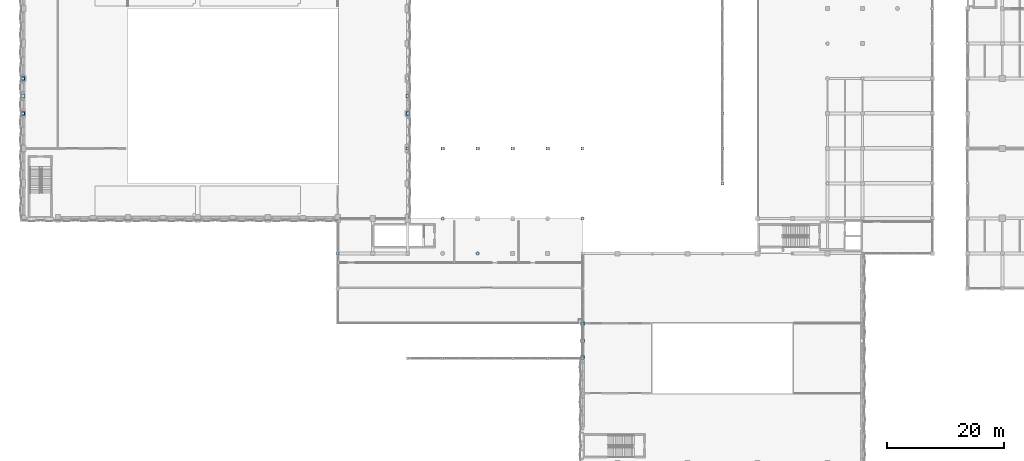
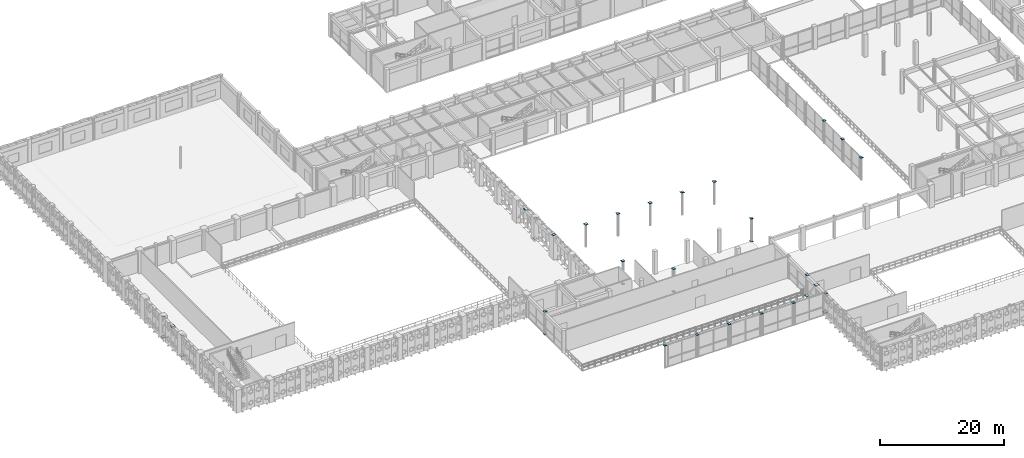
# One storey, part 83 of 116: 35 plates.
"""IFC4 building model written with IfcOpenShell, lengths in metres."""

from ifc_helpers import new_model, si_unit, direction, frame, origin, origin_2d, place, context, subcontext, project, spatial, rectangle, extrude, material, layer, layer_set, type_object, element, save


model = new_model("IFC4")

# Units and contexts
model_context = context("Model", 3, precision=1e-05, world=origin(), true_north=direction((0.0, 1.0)))
body_context = subcontext(model_context, "Body", "Model", "MODEL_VIEW")
ifc_project = project(units=[si_unit("LENGTHUNIT", "METRE"), si_unit("AREAUNIT", "SQUARE_METRE"), si_unit("VOLUMEUNIT", "CUBIC_METRE"), si_unit("PLANEANGLEUNIT", "RADIAN"), si_unit("MASSUNIT", "GRAM", prefix="KILO"), si_unit("THERMODYNAMICTEMPERATUREUNIT", "KELVIN"), si_unit("POWERUNIT", "WATT")], contexts=[model_context])

# Site, building, storey
site_placement = place(None, origin())
site = spatial("IfcSite", under=ifc_project, at=site_placement, CompositionType="ELEMENT")
building_placement = place(site_placement, origin())
building = spatial("IfcBuilding", under=site, at=building_placement, Name="Phaisarnlok Congress Hotel", CompositionType="ELEMENT")
storey_placement = place(building_placement, frame((0.0, 0.0, 10.5)))
storey = spatial("IfcBuildingStorey", under=building, at=storey_placement, Name="L02", CompositionType="ELEMENT", Elevation=10.5)

# Plates
ifc_material = material(Name="Steel S355", Category="steel")
ifc_layer_1 = layer(ifc_material, 0.0400390625, Name="Steel S355")
ifc_layer_set_1 = layer_set([ifc_layer_1], Name="Steel S355")
plate_type_1 = type_object("IfcPlateType", Name="PLT-CAP-480", PredefinedType="SHEET", material=ifc_layer_set_1)
for number, where, z_axis, x_axis, name in (
    (1, (54.0, 36.0, -0.02001953125), (0.0, 0.0, 1.0), (1.0, 0.0, 0.0), "Steel column cap/base plate NP-04 at NP-COLB-COL-L02-054-036"),
    (2, (54.0, 36.0, 4.47998046875), (0.0, 0.0, 1.0), (1.0, 0.0, 0.0), "Steel column cap/base plate NP-04 at NP-COLT-COL-L02-054-036"),
    (3, (72.0, 42.0, -0.02001953125), (0.0, 0.0, 1.0), (1.0, 0.0, 0.0), "Steel column cap/base plate NP-04 at NP-COLB-COL-L02-072-042"),
    (4, (72.0, 42.0, 4.47998046875), (0.0, 0.0, 1.0), (1.0, 0.0, 0.0), "Steel column cap/base plate NP-04 at NP-COLT-COL-L02-072-042"),
    (5, (78.0, 36.0, -0.02001953125), (0.0, 0.0, 1.0), (1.0, 0.0, 0.0), "Steel column cap/base plate NP-04 at NP-COLB-COL-L02-078-036"),
    (6, (78.0, 36.0, 4.47998046875), (0.0, 0.0, 1.0), (1.0, 0.0, 0.0), "Steel column cap/base plate NP-04 at NP-COLT-COL-L02-078-036"),
    (7, (96.0, 42.0, -0.02001953125), (0.0, 0.0, 1.0), (1.0, 0.0, 0.0), "Steel column cap/base plate NP-04 at NP-COLB-COL-L02-096-042"),
    (8, (96.0, 42.0, 4.47998046875), (0.0, 0.0, 1.0), (1.0, 0.0, 0.0), "Steel column cap/base plate NP-04 at NP-COLT-COL-L02-096-042"),
    (9, (66.0, 18.0, 4.47998046875), (0.0, 0.0, 1.0), (1.0, 0.0, 0.0), "Steel column cap/base plate NP-04 at NP-WRS-COL2-066"),
    (10, (72.0, 18.0, 4.47998046875), (0.0, 0.0, 1.0), (1.0, 0.0, 0.0), "Steel column cap/base plate NP-04 at NP-WRS-COL2-072"),
    (11, (78.0, 18.0, 4.47998046875), (0.0, 0.0, 1.0), (1.0, 0.0, 0.0), "Steel column cap/base plate NP-04 at NP-WRS-COL2-078"),
    (12, (84.0, 18.0, 4.47998046875), (0.0, 0.0, 1.0), (1.0, 0.0, 0.0), "Steel column cap/base plate NP-04 at NP-WRS-COL2-084"),
    (13, (90.0, 18.0, 4.47998046875), (0.0, 0.0, 1.0), (1.0, 0.0, 0.0), "Steel column cap/base plate NP-04 at NP-WRS-COL2-090"),
    (14, (120.0, 48.0, 4.47998046875), (0.0, 0.0, 1.0), (1.0, 0.0, 0.0), "Steel column cap/base plate NP-04 at NP-WRC-COL2-048"),
    (15, (120.0, 54.0, 4.47998046875), (0.0, 0.0, 1.0), (1.0, 0.0, 0.0), "Steel column cap/base plate NP-04 at NP-WRC-COL2-054"),
    (16, (120.0, 60.0, 4.47998046875), (0.0, 0.0, 1.0), (1.0, 0.0, 0.0), "Steel column cap/base plate NP-04 at NP-WRC-COL2-060"),
):
    element("IfcPlate", number, at=place(storey_placement, frame(where, z_axis=z_axis, x_axis=x_axis)), inside=storey, type_object=plate_type_1, Name=name, PredefinedType="SHEET", context=body_context, shape_type="SweptSolid", body=[
        extrude(rectangle(XDim=0.47998046875, YDim=0.47998046875, at=origin_2d()), origin(), (0.0, 0.0, 1.0), 0.0400390625),
    ])
ifc_layer_2 = layer(ifc_material, 0.01611328125, Name="Steel S355")
ifc_layer_set_2 = layer_set([ifc_layer_2], Name="Steel S355")
plate_type_2 = type_object("IfcPlateType", Name="PLT-GUS-650", PredefinedType="SHEET", material=ifc_layer_set_2)
for number, where, z_axis, x_axis, name in (
    (17, (0.0, 60.0, 0.141845703125), (0.0, 0.0, 1.0), (1.0, 0.0, 0.0), "Steel truss node plate NP-05 at NP-BF-A-L02-A"),
    (18, (0.0, 66.0, 0.141845703125), (0.0, 0.0, 1.0), (1.0, 0.0, 0.0), "Steel truss node plate NP-05 at NP-BF-A-L02-B"),
    (19, (0.0, 63.0, 4.112060546875), (0.0, 0.0, 1.0), (1.0, 0.0, 0.0), "Steel truss node plate NP-05 at NP-BF-A-L02-M"),
    (20, (66.0, 60.0, 0.141845703125), (0.0, 0.0, 1.0), (1.0, 0.0, 0.0), "Steel truss node plate NP-05 at NP-BF-B-L02-A"),
    (21, (66.0, 63.0, 4.112060546875), (0.0, 0.0, 1.0), (1.0, 0.0, 0.0), "Steel truss node plate NP-05 at NP-BF-B-L02-M"),
    (22, (96.0, 18.169921875, 0.44189453125), (0.0, 0.0, 1.0), (1.0, 0.0, 0.0), "Steel truss node plate NP-05 at NP-BF-C-L02-A"),
    (23, (96.0, 24.0, 0.141845703125), (0.0, 0.0, 1.0), (1.0, 0.0, 0.0), "Steel truss node plate NP-05 at NP-BF-C-L02-B"),
    (24, (96.0, 21.0, 4.112060546875), (0.0, 0.0, 1.0), (1.0, 0.0, 0.0), "Steel truss node plate NP-05 at NP-BF-C-L02-M"),
):
    element("IfcPlate", number, at=place(storey_placement, frame(where, z_axis=z_axis, x_axis=x_axis)), inside=storey, type_object=plate_type_2, Name=name, PredefinedType="SHEET", context=body_context, shape_type="SweptSolid", body=[
        extrude(rectangle(XDim=0.64990234375, YDim=0.64990234375, at=origin_2d()), origin(), (0.0, 0.0, 1.0), 0.01611328125),
    ])
ifc_layer_3 = layer(ifc_material, 0.02001953125, Name="Steel S355")
ifc_layer_set_3 = layer_set([ifc_layer_3], Name="Steel S355")
plate_type_3 = type_object("IfcPlateType", Name="PLT-NODE-480", PredefinedType="SHEET", material=ifc_layer_set_3)
for number, where, z_axis, x_axis, name in (
    (25, (0.0, 60.0, 4.22998046875), (0.0, 0.0, 1.0), (1.0, 0.0, 0.0), "Steel truss node plate NP-03 at NP-BF-A-L02-T1"),
    (26, (0.0, 66.0, 4.22998046875), (0.0, 0.0, 1.0), (1.0, 0.0, 0.0), "Steel truss node plate NP-03 at NP-BF-A-L02-T2"),
    (27, (66.0, 60.0, 4.22998046875), (0.0, 0.0, 1.0), (1.0, 0.0, 0.0), "Steel truss node plate NP-03 at NP-BF-B-L02-T1"),
    (28, (96.0, 18.0, 4.22998046875), (0.0, 0.0, 1.0), (1.0, 0.0, 0.0), "Steel truss node plate NP-03 at NP-BF-C-L02-T1"),
    (29, (96.0, 24.0, 4.22998046875), (0.0, 0.0, 1.0), (1.0, 0.0, 0.0), "Steel truss node plate NP-03 at NP-BF-C-L02-T2"),
):
    element("IfcPlate", number, at=place(storey_placement, frame(where, z_axis=z_axis, x_axis=x_axis)), inside=storey, type_object=plate_type_3, Name=name, PredefinedType="SHEET", context=body_context, shape_type="SweptSolid", body=[
        extrude(rectangle(XDim=0.47998046875, YDim=0.47998046875, at=origin_2d()), origin(), (0.0, 0.0, 1.0), 0.02001953125),
    ])
ifc_layer_4 = layer(ifc_material, 0.030029296875, Name="Steel S355")
ifc_layer_set_4 = layer_set([ifc_layer_4], Name="Steel S355")
plate_type_4 = type_object("IfcPlateType", Name="PLT-NODE-560", PredefinedType="SHEET", material=ifc_layer_set_4)
for number, where, z_axis, x_axis, name in (
    (30, (66.0, 54.0, 4.48486328125), (0.0, 0.0, 1.0), (1.0, 0.0, 0.0), "Steel truss node plate NP-01 at NP-CLT-066"),
    (31, (72.0, 54.0, 4.48486328125), (0.0, 0.0, 1.0), (1.0, 0.0, 0.0), "Steel truss node plate NP-01 at NP-CLT-072"),
    (32, (78.0, 54.0, 4.48486328125), (0.0, 0.0, 1.0), (1.0, 0.0, 0.0), "Steel truss node plate NP-01 at NP-CLT-078"),
    (33, (84.0, 54.0, 4.48486328125), (0.0, 0.0, 1.0), (1.0, 0.0, 0.0), "Steel truss node plate NP-01 at NP-CLT-084"),
    (34, (90.0, 54.0, 4.48486328125), (0.0, 0.0, 1.0), (1.0, 0.0, 0.0), "Steel truss node plate NP-01 at NP-CLT-090"),
    (35, (96.0, 54.0, 4.48486328125), (0.0, 0.0, 1.0), (1.0, 0.0, 0.0), "Steel truss node plate NP-01 at NP-CLT-096"),
):
    element("IfcPlate", number, at=place(storey_placement, frame(where, z_axis=z_axis, x_axis=x_axis)), inside=storey, type_object=plate_type_4, Name=name, PredefinedType="SHEET", context=body_context, shape_type="SweptSolid", body=[
        extrude(rectangle(XDim=0.56005859375, YDim=0.56005859375, at=origin_2d()), origin(), (0.0, 0.0, 1.0), 0.030029296875),
    ])

save(model, "model.ifc")
